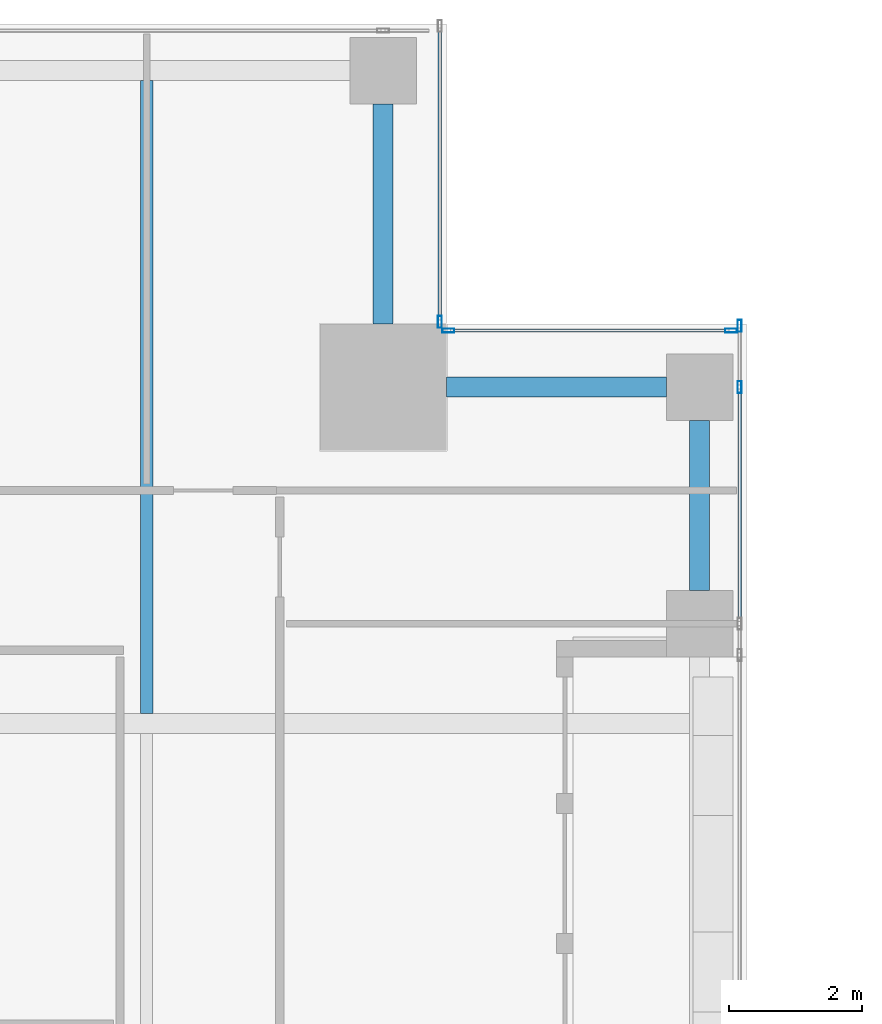
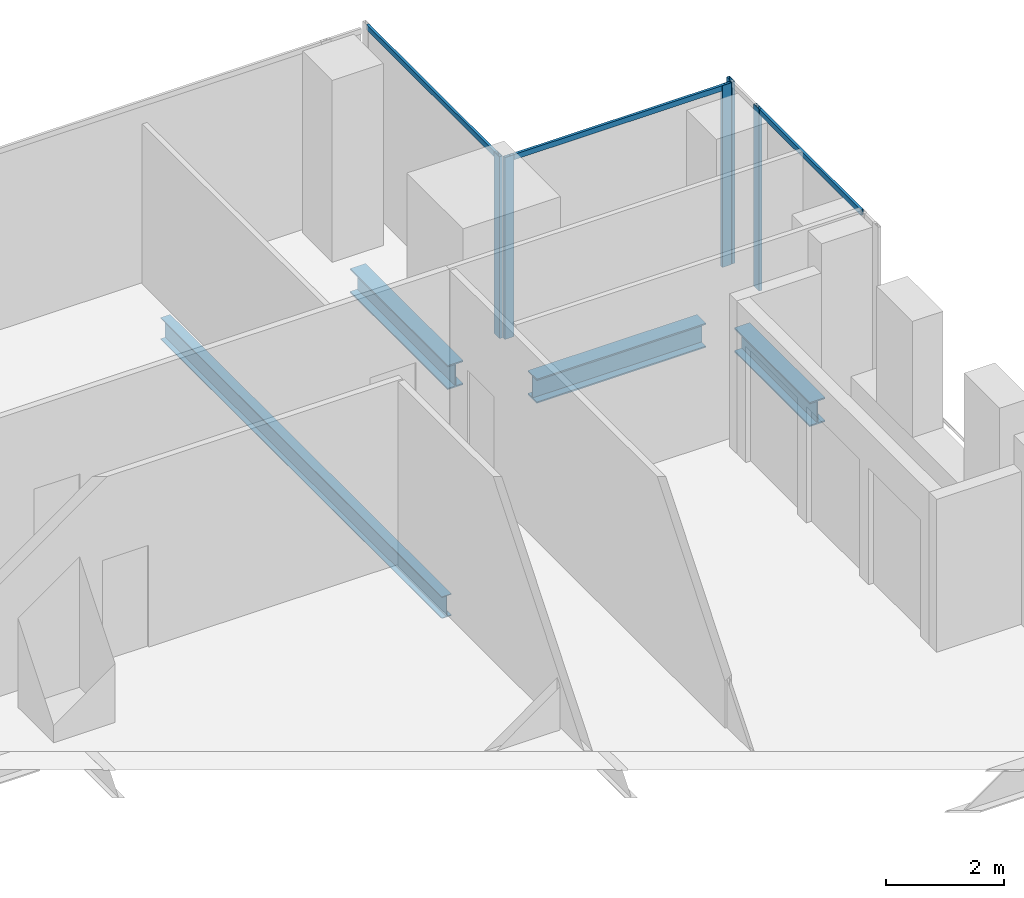
# One storey, part 25 of 40: 8 members, 4 beams, 3 elements without a shape of their own.
"""IFC4 building model written with IfcOpenShell, lengths in metres."""

from ifc_helpers import new_model, si_unit, direction, frame, origin, origin_2d, place, context, subcontext, project, spatial, hollow_rectangle, i_section, extrude, source, transform, mapped, material, material_profile, profile_set, type_object, element, aggregate, save


model = new_model("IFC4")

# Units and contexts
model_context = context("Model", 3, precision=1e-05, world=origin(), true_north=direction((0.0, 1.0)))
body_context = subcontext(model_context, "Body", "Model", "MODEL_VIEW")
ifc_project = project(units=[si_unit("LENGTHUNIT", "METRE"), si_unit("AREAUNIT", "SQUARE_METRE"), si_unit("VOLUMEUNIT", "CUBIC_METRE"), si_unit("PLANEANGLEUNIT", "RADIAN"), si_unit("MASSUNIT", "GRAM", prefix="KILO")], contexts=[model_context])

# Site, building, storey
site_placement = place(None, origin())
site = spatial("IfcSite", under=ifc_project, at=site_placement, CompositionType="ELEMENT")
building_placement = place(site_placement, origin())
building = spatial("IfcBuilding", under=site, at=building_placement, Name="Khomas Fold Tower", CompositionType="ELEMENT")
storey_placement = place(building_placement, frame((0.0, 0.0, 192.699951171875)))
storey = spatial("IfcBuildingStorey", under=building, at=storey_placement, Name="L42", CompositionType="ELEMENT", Elevation=192.699951171875)

# Beams
ifc_material_1 = material(Name="Steel S355", Category="steel")
ifc_material_profile_1 = material_profile(ifc_material_1, i_section(OverallWidth=0.300048828125, OverallDepth=0.5, WebThickness=0.014404296875, FlangeThickness=0.028076171875, at=origin_2d()), Name="HE 500 B")
ifc_profile_set_1 = profile_set([ifc_material_profile_1], Name="Steel S355")
beam_type_1 = type_object("IfcBeamType", Name="HE 500 B spandrel SB3", PredefinedType="SPANDREL", material=ifc_profile_set_1)
shared_shape_1 = source(origin(), body_context, "Body", "SweptSolid", [
    extrude(i_section(OverallWidth=0.300048828125, OverallDepth=0.5, WebThickness=0.014404296875, FlangeThickness=0.028076171875, at=origin_2d()), origin(), (0.0, 0.0, 1.0), 2.550048828125),
])
beam_1_placement = place(storey_placement, frame((50.300048828125, 42.5, -0.5), z_axis=(0.0, 1.0, 0.0), x_axis=(-1.0, 0.0, 0.0)))
element("IfcBeam", 1, at=beam_1_placement, inside=storey, type_object=beam_type_1, Name="SB3", PredefinedType="SPANDREL", context=body_context, shape_type="MappedRepresentation", body=[
    mapped(shared_shape_1, transform((0.0, 0.0, 0.0))),
])
shared_shape_2 = source(origin(), body_context, "Body", "SweptSolid", [
    extrude(i_section(OverallWidth=0.300048828125, OverallDepth=0.5, WebThickness=0.014404296875, FlangeThickness=0.028076171875, at=origin_2d()), origin(), (0.0, 0.0, 1.0), 3.300048828125),
])
for number, where, z_axis, x_axis, name in (
    (2, (46.5, 45.550048828125, -0.5), (1.0, 0.0, 0.0), (0.0, 1.0, 0.0), "SB3"),
    (3, (45.550048828125, 46.5, -0.5), (0.0, 1.0, 0.0), (-1.0, 0.0, 0.0), "SB3"),
):
    element("IfcBeam", number, at=place(storey_placement, frame(where, z_axis=z_axis, x_axis=x_axis)), inside=storey, type_object=beam_type_1, Name=name, PredefinedType="SPANDREL", context=body_context, shape_type="MappedRepresentation", body=[
        mapped(shared_shape_2, transform((0.0, 0.0, 0.0))),
    ])
ifc_material_2 = material(Name="Steel S355", Category="steel")
ifc_material_profile_2 = material_profile(ifc_material_2, i_section(OverallWidth=0.18994140625, OverallDepth=0.449951171875, WebThickness=0.009521484375, FlangeThickness=0.0146484375, at=origin_2d()), Name="IPE 450")
ifc_profile_set_2 = profile_set([ifc_material_profile_2], Name="Steel S355")
beam_type_2 = type_object("IfcBeamType", Name="IPE 450 beam JB4", PredefinedType="BEAM", material=ifc_profile_set_2)
shared_shape_3 = source(origin(), body_context, "Body", "SweptSolid", [
    extrude(i_section(OverallWidth=0.18994140625, OverallDepth=0.449951171875, WebThickness=0.009521484375, FlangeThickness=0.0146484375, at=origin_2d()), origin(), (0.0, 0.0, 1.0), 9.5),
])
beam_2_placement = place(storey_placement, frame((42.0, 40.64990234375, -0.474853515625), z_axis=(0.0, 1.0, 0.0), x_axis=(-1.0, 0.0, 0.0)))
element("IfcBeam", 4, at=beam_2_placement, inside=storey, type_object=beam_type_2, Name="JB4", PredefinedType="BEAM", context=body_context, shape_type="MappedRepresentation", body=[
    mapped(shared_shape_3, transform((0.0, 0.0, 0.0))),
])

# Curtain wall, members
ifc_material_3 = material(Name="Aluminium framed double glazing", Category="aluminium")
curtain_wall_type = type_object("IfcCurtainWallType", Name="SK-Unitised clear-glass wall, office floors CW2", PredefinedType="NOTDEFINED", material=ifc_material_3)
curtain_wall_1_placement = place(storey_placement, origin())
curtain_wall_1 = element("IfcCurtainWall", 5, at=curtain_wall_1_placement, inside=storey, type_object=curtain_wall_type, Name="CW2 run L42 03-1", PredefinedType="NOTDEFINED")
ifc_material_4 = material(Name="Aluminium", Category="aluminium")
ifc_material_profile_3 = material_profile(ifc_material_4, hollow_rectangle(XDim=0.06005859375, YDim=0.179931640625, WallThickness=0.00390625, at=origin_2d()), Name="SK-Unitised clear-glass wall, office floors mullion CW2-M")
ifc_profile_set_3 = profile_set([ifc_material_profile_3], Name="Aluminium")
member_type_1 = type_object("IfcMemberType", Name="SK-Unitised clear-glass wall, office floors mullion CW2-M", PredefinedType="MULLION", material=ifc_profile_set_3)
shared_shape_4 = source(origin(), body_context, "Body", "SweptSolid", [
    extrude(hollow_rectangle(XDim=0.06005859375, YDim=0.179931640625, WallThickness=0.00390625, at=origin_2d()), origin(), (0.0, 0.0, 1.0), 3.75),
])
member_1_placement = place(storey_placement, frame((50.89990234375, 45.550048828125, 0.0), z_axis=(0.0, 0.0, 1.0), x_axis=(-1.0, 0.0, 0.0)))
member_1 = element("IfcMember", 6, at=member_1_placement, type_object=member_type_1, Name="CW2 mullion 3", PredefinedType="MULLION", context=body_context, shape_type="MappedRepresentation", body=[
    mapped(shared_shape_4, transform((0.0, 0.0, 0.0))),
])
member_2_placement = place(storey_placement, frame((50.89990234375, 46.469970703125, 0.0), z_axis=(0.0, 0.0, 1.0), x_axis=(-1.0, 0.0, 0.0)))
member_2 = element("IfcMember", 7, at=member_2_placement, type_object=member_type_1, Name="CW2 mullion 4", PredefinedType="MULLION", context=body_context, shape_type="MappedRepresentation", body=[
    mapped(shared_shape_4, transform((0.0, 0.0, 0.0))),
])

curtain_wall_2_placement = place(storey_placement, origin())
curtain_wall_2 = element("IfcCurtainWall", 8, at=curtain_wall_2_placement, inside=storey, type_object=curtain_wall_type, Name="CW2 corner return L42 04", PredefinedType="NOTDEFINED")
member_3_placement = place(storey_placement, frame((50.77001953125, 46.39990234375, 0.0), z_axis=(0.0, 0.0, 1.0), x_axis=(0.0, -1.0, 0.0)))
member_3 = element("IfcMember", 9, at=member_3_placement, type_object=member_type_1, Name="CW2 mullion 1", PredefinedType="MULLION", context=body_context, shape_type="MappedRepresentation", body=[
    mapped(shared_shape_4, transform((0.0, 0.0, 0.0))),
])
member_4_placement = place(storey_placement, frame((46.530029296875, 46.39990234375, 0.0), z_axis=(0.0, 0.0, 1.0), x_axis=(0.0, -1.0, 0.0)))
member_4 = element("IfcMember", 10, at=member_4_placement, type_object=member_type_1, Name="CW2 mullion 2", PredefinedType="MULLION", context=body_context, shape_type="MappedRepresentation", body=[
    mapped(shared_shape_4, transform((0.0, 0.0, 0.0))),
])

curtain_wall_3_placement = place(storey_placement, origin())
curtain_wall_3 = element("IfcCurtainWall", 11, at=curtain_wall_3_placement, inside=storey, type_object=curtain_wall_type, Name="CW2 corner return L42 05", PredefinedType="NOTDEFINED")
member_5_placement = place(storey_placement, frame((46.39990234375, 46.530029296875, 0.0), z_axis=(0.0, 0.0, 1.0), x_axis=(-1.0, 0.0, 0.0)))
member_5 = element("IfcMember", 12, at=member_5_placement, type_object=member_type_1, Name="CW2 mullion 1", PredefinedType="MULLION", context=body_context, shape_type="MappedRepresentation", body=[
    mapped(shared_shape_4, transform((0.0, 0.0, 0.0))),
])
ifc_material_5 = material(Name="Aluminium", Category="aluminium")
ifc_material_profile_4 = material_profile(ifc_material_5, hollow_rectangle(XDim=0.050048828125, YDim=0.110107421875, WallThickness=0.00390625, at=origin_2d()), Name="SK-Unitised clear-glass wall, office floors transom CW2-T")
ifc_profile_set_4 = profile_set([ifc_material_profile_4], Name="Aluminium")
member_type_2 = type_object("IfcMemberType", Name="SK-Unitised clear-glass wall, office floors transom CW2-T", PredefinedType="USERDEFINED", material=ifc_profile_set_4)
shared_shape_5 = source(origin(), body_context, "Body", "SweptSolid", [
    extrude(hollow_rectangle(XDim=0.050048828125, YDim=0.110107421875, WallThickness=0.00390625, at=origin_2d()), origin(), (0.0, 0.0, 1.0), 4.3798828125),
])
member_6_placement = place(storey_placement, frame((46.39990234375, 46.56005859375, 3.695068359375), z_axis=(0.0, 1.0, 0.0), x_axis=(-1.0, 0.0, 0.0)))
member_6 = element("IfcMember", 13, at=member_6_placement, type_object=member_type_2, Name="CW2 transom 1", ObjectType="TRANSOM", PredefinedType="USERDEFINED", context=body_context, shape_type="MappedRepresentation", body=[
    mapped(shared_shape_5, transform((0.0, 0.0, 0.0))),
])
aggregate(curtain_wall_3, [member_5, member_6])

# Member
shared_shape_6 = source(origin(), body_context, "Body", "SweptSolid", [
    extrude(hollow_rectangle(XDim=0.050048828125, YDim=0.110107421875, WallThickness=0.00390625, at=origin_2d()), origin(), (0.0, 0.0, 1.0), 3.489990234375),
])
member_7_placement = place(storey_placement, frame((50.89990234375, 42.030029296875, 3.695068359375), z_axis=(0.0, 1.0, 0.0), x_axis=(-1.0, 0.0, 0.0)))
member_7 = element("IfcMember", 14, at=member_7_placement, type_object=member_type_2, Name="CW2 transom 2", ObjectType="TRANSOM", PredefinedType="USERDEFINED", context=body_context, shape_type="MappedRepresentation", body=[
    mapped(shared_shape_6, transform((0.0, 0.0, 0.0))),
])

aggregate(curtain_wall_1, [member_1, member_2, member_7])

shared_shape_7 = source(origin(), body_context, "Body", "SweptSolid", [
    extrude(hollow_rectangle(XDim=0.050048828125, YDim=0.110107421875, WallThickness=0.00390625, at=origin_2d()), origin(), (0.0, 0.0, 1.0), 4.179931640625),
])
member_8_placement = place(storey_placement, frame((50.739990234375, 46.39990234375, 3.695068359375), z_axis=(-1.0, 0.0, 0.0), x_axis=(0.0, -1.0, 0.0)))
member_8 = element("IfcMember", 15, at=member_8_placement, type_object=member_type_2, Name="CW2 transom 1", ObjectType="TRANSOM", PredefinedType="USERDEFINED", context=body_context, shape_type="MappedRepresentation", body=[
    mapped(shared_shape_7, transform((0.0, 0.0, 0.0))),
])

aggregate(curtain_wall_2, [member_3, member_4, member_8])

save(model, "model.ifc")
